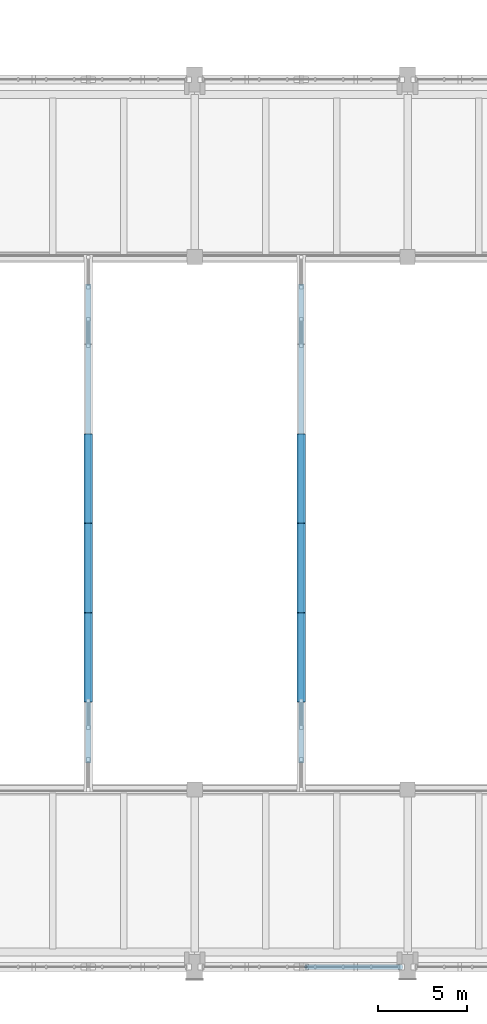
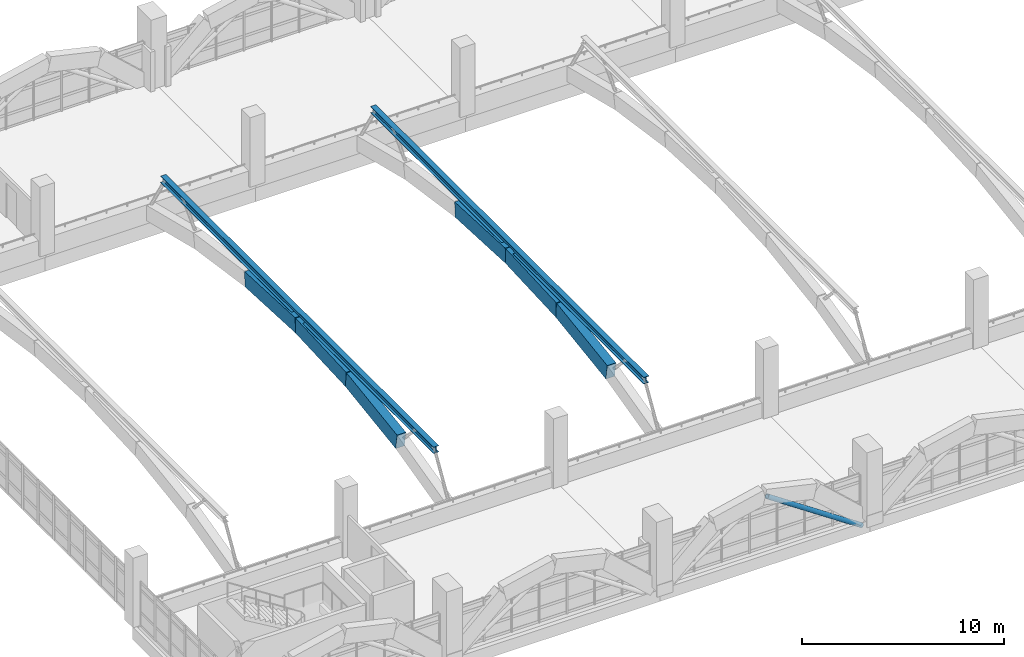
# One storey, part 18 of 161: 6 beams, 3 members.
"""IFC4 building model written with IfcOpenShell, lengths in metres."""

from ifc_helpers import new_model, si_unit, direction, frame, origin, origin_2d, place, context, subcontext, project, spatial, rectangle, hollow_circle, i_section, extrude, material, material_profile, profile_set, type_object, element, save


model = new_model("IFC4")

# Units and contexts
model_context = context("Model", 3, precision=1e-05, world=origin(), true_north=direction((0.0, 1.0)))
body_context = subcontext(model_context, "Body", "Model", "MODEL_VIEW")
ifc_project = project(units=[si_unit("LENGTHUNIT", "METRE"), si_unit("AREAUNIT", "SQUARE_METRE"), si_unit("VOLUMEUNIT", "CUBIC_METRE"), si_unit("PLANEANGLEUNIT", "RADIAN"), si_unit("MASSUNIT", "GRAM", prefix="KILO")], contexts=[model_context])

# Site, building, storey
site_placement = place(None, origin())
site = spatial("IfcSite", under=ifc_project, at=site_placement, CompositionType="ELEMENT")
building_placement = place(site_placement, origin())
building = spatial("IfcBuilding", under=site, at=building_placement, Name="Mersad Railyard Sports Hall", CompositionType="ELEMENT")
storey_placement = place(building_placement, frame((0.0, 0.0, 4.800048828125)))
storey = spatial("IfcBuildingStorey", under=building, at=storey_placement, Name="L01", CompositionType="ELEMENT", Elevation=4.800048828125)

# Beams
ifc_material_1 = material(Name="Architectural concrete C50/60", Category="concrete")
ifc_material_profile_1 = material_profile(ifc_material_1, rectangle(XDim=0.5, YDim=0.89990234375, at=origin_2d()), Name="VR 500x900")
ifc_profile_set_1 = profile_set([ifc_material_profile_1], Name="Architectural concrete C50/60")
beam_type = type_object("IfcBeamType", Name="STR-BM-VR02", PredefinedType="BEAM", material=ifc_profile_set_1)
beam_1_placement = place(storey_placement, frame((25.0, 18.5, 1.579345703125), z_axis=(0.0, 0.989516876333, 0.144417282391), x_axis=(-1.0, 0.0, 0.0)))
element("IfcBeam", 1, at=beam_1_placement, inside=storey, type_object=beam_type, Name="Beam VR02-0515", PredefinedType="BEAM", context=body_context, shape_type="SweptSolid", body=[
    extrude(rectangle(XDim=0.5, YDim=0.89990234375, at=origin_2d()), origin(), (0.0, 0.0, 1.0), 5.052978515625),
])
for number, where, z_axis, x_axis, name in (
    (2, (25.0, 23.5, 2.30908203125), (0.0, 0.998840719075, 0.048137489733), (-1.0, 0.0, 0.0), "Beam VR02-0516"),
    (3, (25.0, 28.5, 2.550048828125), (0.0, 0.998840719075, -0.048137489733), (-1.0, 0.0, 0.0), "Beam VR02-0517"),
):
    element("IfcBeam", number, at=place(storey_placement, frame(where, z_axis=z_axis, x_axis=x_axis)), inside=storey, type_object=beam_type, Name=name, PredefinedType="BEAM", context=body_context, shape_type="SweptSolid", body=[
        extrude(rectangle(XDim=0.5, YDim=0.89990234375, at=origin_2d()), origin(), (0.0, 0.0, 1.0), 5.005859375),
    ])
beam_2_placement = place(storey_placement, frame((37.0, 18.5, 1.579345703125), z_axis=(0.0, 0.989516876333, 0.144417282391), x_axis=(-1.0, 0.0, 0.0)))
element("IfcBeam", 4, at=beam_2_placement, inside=storey, type_object=beam_type, Name="Beam VR02-0523", PredefinedType="BEAM", context=body_context, shape_type="SweptSolid", body=[
    extrude(rectangle(XDim=0.5, YDim=0.89990234375, at=origin_2d()), origin(), (0.0, 0.0, 1.0), 5.052978515625),
])
for number, where, z_axis, x_axis, name in (
    (5, (37.0, 23.5, 2.30908203125), (0.0, 0.998840719075, 0.048137489733), (-1.0, 0.0, 0.0), "Beam VR02-0524"),
    (6, (37.0, 28.5, 2.550048828125), (0.0, 0.998840719075, -0.048137489733), (-1.0, 0.0, 0.0), "Beam VR02-0525"),
):
    element("IfcBeam", number, at=place(storey_placement, frame(where, z_axis=z_axis, x_axis=x_axis)), inside=storey, type_object=beam_type, Name=name, PredefinedType="BEAM", context=body_context, shape_type="SweptSolid", body=[
        extrude(rectangle(XDim=0.5, YDim=0.89990234375, at=origin_2d()), origin(), (0.0, 0.0, 1.0), 5.005859375),
    ])

# Members
ifc_material_2 = material(Name="Steel S355", Category="steel")
ifc_material_profile_2 = material_profile(ifc_material_2, hollow_circle(Radius=0.136474609375, WallThickness=0.012451171875, at=origin_2d()), Name="CHS 273x12.5")
ifc_profile_set_2 = profile_set([ifc_material_profile_2], Name="Steel S355")
member_type_1 = type_object("IfcMemberType", Name="STR-MEM-BR02", PredefinedType="BRACE", material=ifc_profile_set_2)
member_placement = place(storey_placement, frame((42.64990234375, 3.5, -0.6201171875), z_axis=(-0.829190125257, 0.0, 0.558966668215), x_axis=(0.0, -1.0, 0.0)))
element("IfcMember", 7, at=member_placement, inside=storey, type_object=member_type_1, Name="Structural member BR02-0010", PredefinedType="BRACE", context=body_context, shape_type="SweptSolid", body=[
    extrude(hollow_circle(Radius=0.136474609375, WallThickness=0.012451171875, at=origin_2d()), origin(), (0.0, 0.0, 1.0), 6.51220703125),
])
ifc_material_profile_3 = material_profile(ifc_material_2, i_section(OverallWidth=0.300048828125, OverallDepth=0.39990234375, WebThickness=0.013427734375, FlangeThickness=0.02392578125, at=origin_2d()), Name="HEB 400")
ifc_profile_set_3 = profile_set([ifc_material_profile_3], Name="Steel S355")
member_type_2 = type_object("IfcMemberType", Name="STR-MEM-CH03", PredefinedType="CHORD", material=ifc_profile_set_3)
for number, where, z_axis, x_axis, name in (
    (8, (25.0, 15.0, 3.14990234375), (0.0, 1.0, 0.0), (-1.0, 0.0, 0.0), "Structural member CH03-0064"),
    (9, (37.0, 15.0, 3.14990234375), (0.0, 1.0, 0.0), (-1.0, 0.0, 0.0), "Structural member CH03-0069"),
):
    element("IfcMember", number, at=place(storey_placement, frame(where, z_axis=z_axis, x_axis=x_axis)), inside=storey, type_object=member_type_2, Name=name, PredefinedType="CHORD", context=body_context, shape_type="SweptSolid", body=[
        extrude(i_section(OverallWidth=0.300048828125, OverallDepth=0.39990234375, WebThickness=0.013427734375, FlangeThickness=0.02392578125, at=origin_2d()), origin(), (0.0, 0.0, 1.0), 27.0),
    ])

save(model, "model.ifc")
